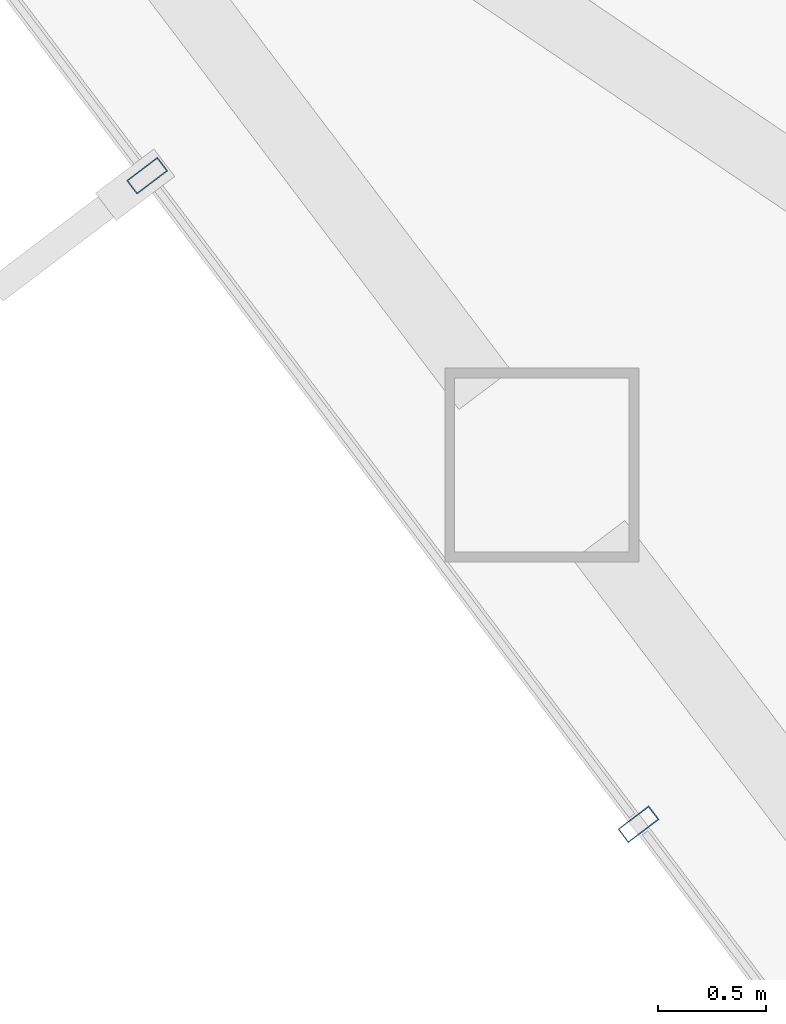
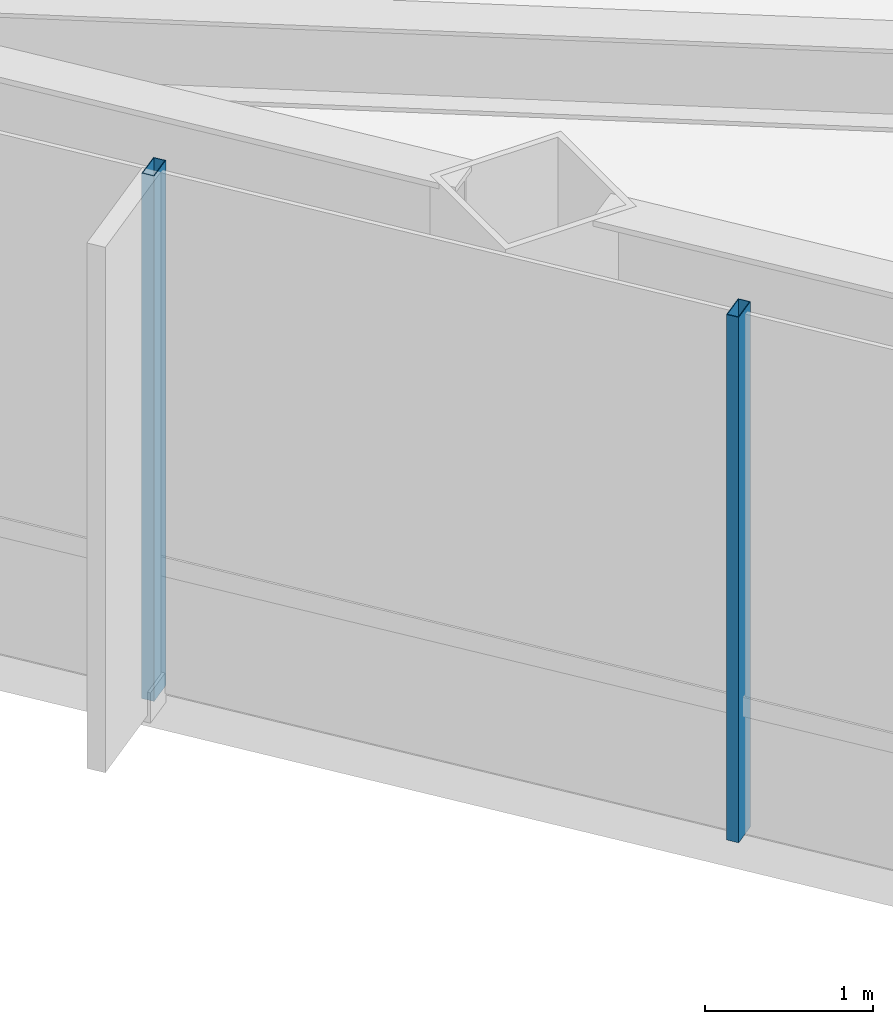
# One storey, part 4 of 24: 2 members, 1 element without a shape of its own.
"""IFC4 building model written with IfcOpenShell, lengths in metres."""

import ifcopenshell
import ifcopenshell.guid

model = None  # the IFC model being written
_history = None  # IfcOwnerHistory: only IFC2X3 demands one
_inside = {}  # id of a spatial element -> (the spatial element, [elements in it])
_under = {}  # id of a project, library or spatial element -> (it, [spatial elements below it])
_declared = {}  # id of a project -> (the project, [libraries it declares])
_typed = {}  # id of a type object -> (the type object, [elements of that type])
_made_of = {}  # id of a material, layer set ... -> (it, [elements and type objects made of it])


def new_model(schema):
    """Start an empty IFC model of exactly this schema.

    Asked for "IFC4X3", IfcOpenShell would pick the latest addendum, in which some entities
    have other attributes; the version numbers below select the first issue.
    IFC2X3 requires an IfcOwnerHistory on every rooted entity: one is made here for all.
    """
    global model, _history
    if schema == "IFC4X3":
        model = ifcopenshell.file(schema_version=(4, 3, 0, 0))
    else:
        model = ifcopenshell.file(schema=schema)
    _inside.clear()
    _under.clear()
    _declared.clear()
    _typed.clear()
    _made_of.clear()
    _history = None
    if model.schema == "IFC2X3":
        org = make("IfcOrganization", Name="unknown")
        user = make(
            "IfcPersonAndOrganization",
            ThePerson=make("IfcPerson", FamilyName="unknown"),
            TheOrganization=org,
        )
        app = make(
            "IfcApplication",
            ApplicationDeveloper=org,
            Version="unknown",
            ApplicationFullName="unknown",
            ApplicationIdentifier="unknown",
        )
        _history = make(
            "IfcOwnerHistory",
            OwningUser=user,
            OwningApplication=app,
            ChangeAction="ADDED",
            CreationDate=0,
        )
    return model


def make(cls, **values):
    """One entity of the class cls with the attributes given. An attribute that is None is left unset."""
    return model.create_entity(
        cls, **{name: value for name, value in values.items() if value is not None}
    )


def rooted(cls, **values):
    """An entity with a GlobalId (a new one), such as an element, a storey or a relation."""
    return make(cls, GlobalId=ifcopenshell.guid.new(), OwnerHistory=_history, **values)


def si_unit(unit_type, name, prefix=None):
    """IfcSIUnit, for example si_unit("LENGTHUNIT", "METRE", prefix="MILLI")."""
    return make("IfcSIUnit", UnitType=unit_type, Prefix=prefix, Name=name)


def assignment(units):
    """IfcUnitAssignment: the units of a project."""
    return None if units is None else make("IfcUnitAssignment", Units=units)


def point(xyz):
    """IfcCartesianPoint."""
    return None if xyz is None else make("IfcCartesianPoint", Coordinates=xyz)


def direction(xyz):
    """IfcDirection."""
    return None if xyz is None else make("IfcDirection", DirectionRatios=xyz)


def frame(location, z_axis=None, x_axis=None):
    """IfcAxis2Placement3D, a coordinate frame: its origin and axes. An axis left out is left unset."""
    return make(
        "IfcAxis2Placement3D",
        Location=point(location),
        Axis=direction(z_axis),
        RefDirection=direction(x_axis),
    )


def frame_2d(location, x_axis=None):
    """IfcAxis2Placement2D, a coordinate frame in the plane: its origin and x axis."""
    return make(
        "IfcAxis2Placement2D", Location=point(location), RefDirection=direction(x_axis)
    )


def origin():
    """The frame at (0, 0, 0) with its axes left unset."""
    return frame((0.0, 0.0, 0.0))


def origin_2d():
    """The frame at (0, 0) in the plane with its x axis left unset."""
    return frame_2d((0.0, 0.0))


def place(relative_to, where):
    """IfcLocalPlacement: puts the frame where relative to a parent placement (None: the world)."""
    return make(
        "IfcLocalPlacement", PlacementRelTo=relative_to, RelativePlacement=where
    )


def context(
    kind, dimensions, precision=None, world=None, true_north=None, identifier=None
):
    """IfcGeometricRepresentationContext, for example the 3D "Model" context."""
    return make(
        "IfcGeometricRepresentationContext",
        ContextIdentifier=identifier,
        ContextType=kind,
        CoordinateSpaceDimension=dimensions,
        Precision=precision,
        WorldCoordinateSystem=world,
        TrueNorth=true_north,
    )


def subcontext(parent, identifier, kind, view, scale=None):
    """IfcGeometricRepresentationSubContext, for example "Body" below "Model"."""
    return make(
        "IfcGeometricRepresentationSubContext",
        ContextIdentifier=identifier,
        ContextType=kind,
        ParentContext=parent,
        TargetScale=scale,
        TargetView=view,
    )


def project(units=None, contexts=None):
    """IfcProject with its units and contexts."""
    return rooted(
        "IfcProject",
        Name="project",
        RepresentationContexts=contexts,
        UnitsInContext=assignment(units),
    )


def spatial(cls, under=None, at=None, **own):
    """A site, building, storey or space (cls), placed at a placement, below another one or the project."""
    s = rooted(cls, ObjectPlacement=at, **own)
    if under is not None:
        _under.setdefault(under.id(), (under, []))[1].append(s)
    return s


def profile(cls, at=None, kind="AREA", **sizes):
    """A parametric profile (cls). Its sizes go by their IFC names, for example OverallWidth=200.0."""
    return make(cls, ProfileType=kind, Position=at, **sizes)


def hollow_rectangle(**sizes):
    """IfcRectangleHollowProfileDef."""
    return profile("IfcRectangleHollowProfileDef", **sizes)


def extrude(swept, where, along, depth):
    """IfcExtrudedAreaSolid: the profile swept, set in the frame where, extruded along a direction by depth."""
    return make(
        "IfcExtrudedAreaSolid",
        SweptArea=swept,
        Position=where,
        ExtrudedDirection=direction(along),
        Depth=depth,
    )


def shape(context_of_items, identifier, shape_type, items):
    """IfcShapeRepresentation: the items that make up one representation, for example the "Body"."""
    return make(
        "IfcShapeRepresentation",
        ContextOfItems=context_of_items,
        RepresentationIdentifier=identifier,
        RepresentationType=shape_type,
        Items=items,
    )


def material(Name=None, Category=None):
    """IfcMaterial."""
    return make("IfcMaterial", Name=Name, Category=Category)


def layer(
    of_material, thickness, ventilated=None, Name=None, Category=None, Priority=None
):
    """IfcMaterialLayer: one layer of a wall or slab, of a material (None: an air gap)."""
    return make(
        "IfcMaterialLayer",
        Material=of_material,
        LayerThickness=thickness,
        IsVentilated=ventilated,
        Name=Name,
        Category=Category,
        Priority=Priority,
    )


def layer_set(layers, Name=None):
    """IfcMaterialLayerSet."""
    return make("IfcMaterialLayerSet", MaterialLayers=layers, LayerSetName=Name)


def material_profile(
    of_material, cross_section, Name=None, Category=None, Priority=None
):
    """IfcMaterialProfile: a cross section and its material."""
    return make(
        "IfcMaterialProfile",
        Name=Name,
        Material=of_material,
        Profile=cross_section,
        Priority=Priority,
        Category=Category,
    )


def profile_set(profiles, Name=None, composite=None):
    """IfcMaterialProfileSet."""
    return make(
        "IfcMaterialProfileSet",
        Name=Name,
        MaterialProfiles=profiles,
        CompositeProfile=composite,
    )


def made_of(thing, what):
    """Note that an element or type object is made of a material, layer set ...; save() writes the relation."""
    if what is not None:
        _made_of.setdefault(what.id(), (what, []))[1].append(thing)
    return thing


def type_object(cls, material=None, **own):
    """A type object (cls), such as IfcWallType, which elements share."""
    return made_of(rooted(cls, **own), material)


def element(
    cls,
    number,
    at=None,
    inside=None,
    cuts=None,
    type_object=None,
    material=None,
    context=None,
    identifier="Body",
    shape_type=None,
    held_by="IfcProductDefinitionShape",
    body=None,
    shapes=None,
    **own,
):
    """One element of the class cls, such as IfcWall. Its Tag is "e" and its number.

    at: its placement. inside: the storey or other place that contains it. cuts: it is an
    opening in that element (IfcRelVoidsElement). A single representation is given by context,
    identifier, shape_type and body (its items); several are given by shapes. held_by: the class
    of the entity that holds the representations. save() writes the other relations.
    """
    e = rooted(cls, Tag="e%d" % number, ObjectPlacement=at, **own)
    if body is not None:
        shapes = [shape(context, identifier, shape_type, body)]
    if shapes is not None:
        e.Representation = make(held_by, Representations=shapes)
    if inside is not None:
        _inside.setdefault(inside.id(), (inside, []))[1].append(e)
    if cuts is not None:
        rooted(
            "IfcRelVoidsElement", RelatingBuildingElement=cuts, RelatedOpeningElement=e
        )
    if type_object is not None:
        _typed.setdefault(type_object.id(), (type_object, []))[1].append(e)
    return made_of(e, material)


def aggregate(whole, parts):
    """IfcRelAggregates: a whole, such as a stair, and the parts it consists of."""
    return rooted("IfcRelAggregates", RelatingObject=whole, RelatedObjects=parts)


def save(model, path):
    """Write the relations noted so far, then the file.

    IfcRelAggregates (storeys below a building ...), IfcRelContainedInSpatialStructure (elements
    in a storey), IfcRelDefinesByType, IfcRelAssociatesMaterial and IfcRelDeclares: one each for
    every whole, place, type object, material and project.
    """
    for whole, parts in _under.values():
        aggregate(whole, parts)
    for where, things in _inside.values():
        rooted(
            "IfcRelContainedInSpatialStructure",
            RelatedElements=things,
            RelatingStructure=where,
        )
    for kind, things in _typed.values():
        rooted("IfcRelDefinesByType", RelatedObjects=things, RelatingType=kind)
    for what, things in _made_of.values():
        rooted("IfcRelAssociatesMaterial", RelatedObjects=things, RelatingMaterial=what)
    for by, libraries in _declared.values():
        rooted("IfcRelDeclares", RelatingContext=by, RelatedDefinitions=libraries)
    model.write(path)


model = new_model("IFC4")

# Units and contexts
model_context = context("Model", 3, precision=1e-05, world=origin(), true_north=direction((0.0, 1.0)))
body_context = subcontext(model_context, "Body", "Model", "MODEL_VIEW")
ifc_project = project(units=[si_unit("LENGTHUNIT", "METRE"), si_unit("AREAUNIT", "SQUARE_METRE"), si_unit("VOLUMEUNIT", "CUBIC_METRE"), si_unit("PLANEANGLEUNIT", "RADIAN"), si_unit("MASSUNIT", "GRAM", prefix="KILO")], contexts=[model_context])

# Site, building, storey
site_placement = place(None, origin())
site = spatial("IfcSite", under=ifc_project, at=site_placement, CompositionType="ELEMENT")
building_placement = place(site_placement, origin())
building = spatial("IfcBuilding", under=site, at=building_placement, Name="Zarrinselat Tower", CompositionType="ELEMENT")
storey_placement = place(building_placement, frame((0.0, 0.0, 100.97998046875)))
storey = spatial("IfcBuildingStorey", under=building, at=storey_placement, Name="L24", CompositionType="ELEMENT", Elevation=100.97998046875)

# Curtain wall, members
ifc_material_1 = material(Name="Extruded Aluminium Alloy EN AW-6063 T6", Category="aluminium")
ifc_layer = layer(ifc_material_1, 0.18505859375)
ifc_layer_set = layer_set([ifc_layer], Name="Extruded Aluminium Alloy EN AW-6063 T6")
curtain_wall_type = type_object("IfcCurtainWallType", Name="CWS-OFF", PredefinedType="NOTDEFINED", material=ifc_layer_set)
curtain_wall_placement = place(storey_placement, origin())
curtain_wall = element("IfcCurtainWall", 1, at=curtain_wall_placement, inside=storey, type_object=curtain_wall_type, Name="L24 Unitised Curtain Wall CW-L24-E03", PredefinedType="NOTDEFINED")
ifc_material_2 = material(Name="Extruded Aluminium Alloy EN AW-6063 T6", Category="aluminium")
ifc_material_profile = material_profile(ifc_material_2, hollow_rectangle(XDim=0.080078125, YDim=0.179931640625, WallThickness=0.0048828125, at=origin_2d()), Name="RHS 180x80x5")
ifc_profile_set = profile_set([ifc_material_profile], Name="Extruded Aluminium Alloy EN AW-6063 T6")
member_type = type_object("IfcMemberType", Name="MEM-CW-MUL", PredefinedType="MULLION", material=ifc_profile_set)
member_1_placement = place(storey_placement, frame((17.51806640625, 33.38427734375, 0.0), z_axis=(0.0, 0.0, 1.0), x_axis=(0.603857772927, -0.797092083812, 0.0)))
member_1 = element("IfcMember", 2, at=member_1_placement, type_object=member_type, Name="CW-L24-E03 Mullion 1", PredefinedType="MULLION", context=body_context, shape_type="SweptSolid", body=[
    extrude(hollow_rectangle(XDim=0.080078125, YDim=0.179931640625, WallThickness=0.0048828125, at=origin_2d()), origin(), (0.0, 0.0, 1.0), 3.820068359375),
])
member_2_placement = place(storey_placement, frame((19.799560546875, 30.37255859375, 0.0), z_axis=(0.0, 0.0, 1.0), x_axis=(0.603857772927, -0.797092083812, 0.0)))
member_2 = element("IfcMember", 3, at=member_2_placement, type_object=member_type, Name="CW-L24-E03 Mullion 2", PredefinedType="MULLION", context=body_context, shape_type="SweptSolid", body=[
    extrude(hollow_rectangle(XDim=0.080078125, YDim=0.179931640625, WallThickness=0.0048828125, at=origin_2d()), origin(), (0.0, 0.0, 1.0), 3.820068359375),
])
aggregate(curtain_wall, [member_1, member_2])

save(model, "model.ifc")
